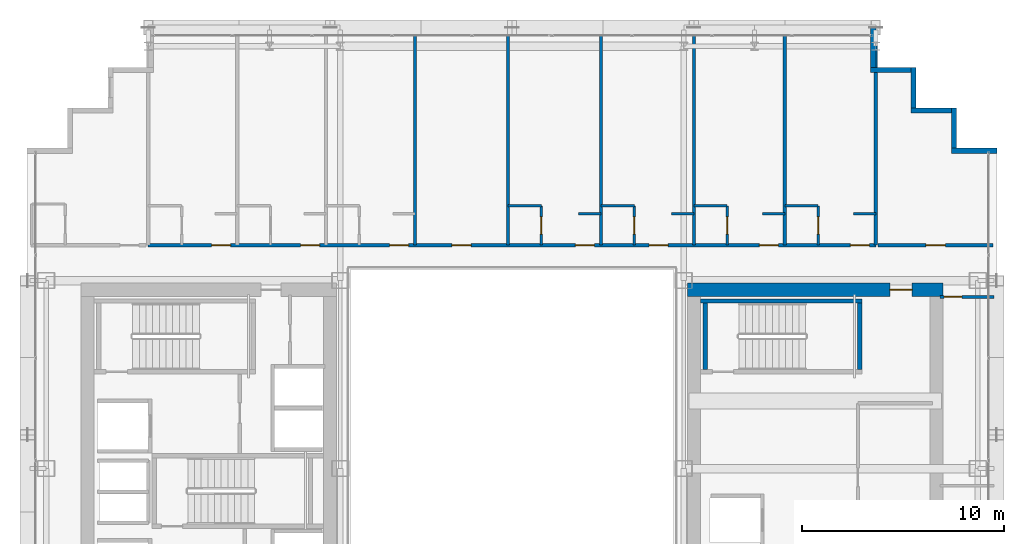
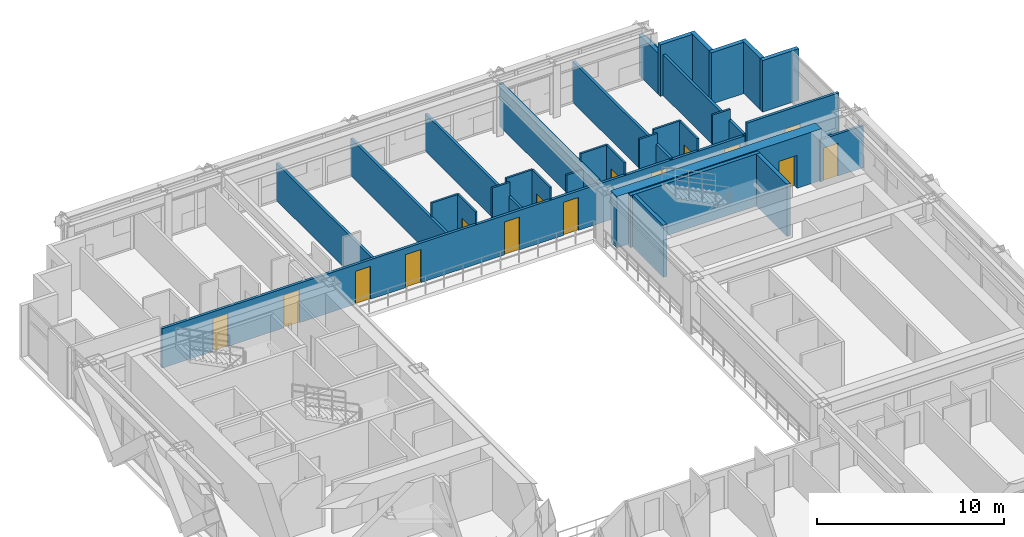
# One storey, part 31 of 36: 31 walls, 15 doors, 15 openings.
"""IFC4 building model written with IfcOpenShell, lengths in metres."""

from ifc_helpers import new_model, si_unit, direction, frame, frame_2d, origin, place, context, subcontext, project, spatial, rectangle, extrude, source, transform, mapped, material, layer, layer_set, type_object, element, fill, save


model = new_model("IFC4")

# Units and contexts
model_context = context("Model", 3, precision=1e-05, world=origin(), true_north=direction((0.0, 1.0)))
body_context = subcontext(model_context, "Body", "Model", "MODEL_VIEW")
ifc_project = project(units=[si_unit("LENGTHUNIT", "METRE"), si_unit("AREAUNIT", "SQUARE_METRE"), si_unit("VOLUMEUNIT", "CUBIC_METRE"), si_unit("PLANEANGLEUNIT", "RADIAN"), si_unit("MASSUNIT", "GRAM", prefix="KILO")], contexts=[model_context])

# Site, building, storey
site_placement = place(None, origin())
site = spatial("IfcSite", under=ifc_project, at=site_placement, CompositionType="ELEMENT")
building_placement = place(site_placement, origin())
building = spatial("IfcBuilding", under=site, at=building_placement, Name="Ocotamira Hotel", CompositionType="ELEMENT")
storey_placement = place(building_placement, frame((0.0, 0.0, 129.60009765625)))
storey = spatial("IfcBuildingStorey", under=building, at=storey_placement, Name="L32", CompositionType="ELEMENT", Elevation=129.60009765625)

# Wall, opening, door
ifc_material_1 = material(Name="Concrete C60/75", Category="concrete")
ifc_layer_1 = layer(ifc_material_1, 0.64990234375)
ifc_layer_set_1 = layer_set([ifc_layer_1], Name="Concrete C60/75")
wall_type_1 = type_object("IfcWallType", Name="WL-CORE-650", PredefinedType="SHEAR", material=ifc_layer_set_1)
wall_1_placement = place(storey_placement, frame((40.675048828125, 37.0, 0.0), z_axis=(0.0, 0.0, 1.0), x_axis=(1.0, 0.0, 0.0)))
wall_1 = element("IfcWall", 1, at=wall_1_placement, inside=storey, type_object=wall_type_1, Name="L32 Shear Core Wall ECORE-N", PredefinedType="SHEAR", context=body_context, shape_type="SweptSolid", body=[
    extrude(rectangle(XDim=12.64990234375, YDim=0.64990234375, at=frame_2d((6.324951171875, 0.0))), origin(), (0.0, 0.0, 1.0), 3.35986328125),
])
opening_1_placement = place(wall_1_placement, frame((10.02490234375, 0.0, 0.0)))
opening_1 = element("IfcOpeningElement", 2, at=opening_1_placement, cuts=wall_1, Name="Opening D-FR1", PredefinedType="OPENING", context=body_context, shape_type="SweptSolid", body=[
    extrude(rectangle(XDim=1.10009765625, YDim=2.14990234375, at=frame_2d((0.550048828125, 1.074951171875))), frame((0.0, 0.3349609375, 0.0), z_axis=(0.0, -1.0, 0.0), x_axis=(1.0, 0.0, 0.0)), (0.0, 0.0, 1.0), 0.669921875),
])
ifc_material_2 = material(Name="Fire-rated acoustic timber-veneer door", Category="wood")
door_type_1 = type_object("IfcDoorType", Name="DR-FIRE-1100", OperationType="NOTDEFINED", PredefinedType="DOOR", material=ifc_material_2)
shared_shape_1 = source(origin(), body_context, "Body", "SweptSolid", [
    extrude(rectangle(XDim=1.10009765625, YDim=2.14990234375, at=frame_2d((0.550048828125, 1.074951171875))), frame((0.0, 0.02490234375, 0.0), z_axis=(0.0, -1.0, 0.0), x_axis=(1.0, 0.0, 0.0)), (0.0, 0.0, 1.0), 0.050048828125),
])
door_1_placement = place(opening_1_placement, origin())
door_1 = element("IfcDoor", 3, at=door_1_placement, inside=storey, type_object=door_type_1, Name="L32 Door ID-L32-ELOB-N-D [ID-L32-ELOB-N-D]", OperationType="SINGLE_SWING_LEFT", OverallHeight=2.14990234375, OverallWidth=1.10009765625, PredefinedType="DOOR", context=body_context, shape_type="MappedRepresentation", body=[
    mapped(shared_shape_1, transform((0.0, 0.0, 0.0), scale=1.0)),
])
fill(opening_1, door_1)

# Walls
ifc_material_3 = material(Name="Precast concrete C45/55", Category="concrete")
ifc_layer_2 = layer(ifc_material_3, 0.25)
ifc_layer_set_2 = layer_set([ifc_layer_2], Name="Precast concrete C45/55")
wall_type_2 = type_object("IfcWallType", Name="WL-EXT-SER-250", PredefinedType="SOLIDWALL", material=ifc_layer_set_2)
wall_2_placement = place(storey_placement, frame((56.0, 43.875, 0.0), z_axis=(0.0, 0.0, 1.0), x_axis=(-1.0, 0.0, 0.0)))
element("IfcWall", 4, at=wall_2_placement, inside=storey, type_object=wall_type_2, Name="L32 Serrated Corner Wall 07", PredefinedType="SOLIDWALL", context=body_context, shape_type="SweptSolid", body=[
    extrude(rectangle(XDim=2.25, YDim=0.25, at=frame_2d((1.125, 0.0))), origin(), (0.0, 0.0, 1.0), 3.35986328125),
])
for number, where, z_axis, x_axis, name in (
    (5, (53.875, 44.0, 0.0), (0.0, 0.0, 1.0), (0.0, 1.0, 0.0), "L32 Serrated Corner Wall 08"),
    (6, (53.75, 45.875, 0.0), (0.0, 0.0, 1.0), (-1.0, 0.0, 0.0), "L32 Serrated Corner Wall 09"),
    (7, (51.875, 46.0, 0.0), (0.0, 0.0, 1.0), (0.0, 1.0, 0.0), "L32 Serrated Corner Wall 10"),
    (8, (51.75, 47.875, 0.0), (0.0, 0.0, 1.0), (-1.0, 0.0, 0.0), "L32 Serrated Corner Wall 11"),
):
    element("IfcWall", number, at=place(storey_placement, frame(where, z_axis=z_axis, x_axis=x_axis)), inside=storey, type_object=wall_type_2, Name=name, PredefinedType="SOLIDWALL", context=body_context, shape_type="SweptSolid", body=[
        extrude(rectangle(XDim=2.0, YDim=0.25, at=frame_2d((1.0, 0.0))), origin(), (0.0, 0.0, 1.0), 3.35986328125),
    ])
wall_3_placement = place(storey_placement, frame((49.875, 48.0, 0.0), z_axis=(0.0, 0.0, 1.0), x_axis=(0.0, 1.0, 0.0)))
element("IfcWall", 9, at=wall_3_placement, inside=storey, type_object=wall_type_2, Name="L32 Serrated Corner Wall 12", PredefinedType="SOLIDWALL", context=body_context, shape_type="SweptSolid", body=[
    extrude(rectangle(XDim=2.0, YDim=0.25, at=frame_2d((1.0, 0.0))), origin(), (0.0, 0.0, 1.0), 2.6669921875),
])

# Wall, opening, door
ifc_material_4 = material(Name="Acoustic double-layer fire gypsum board partition", Category="gypsum")
ifc_layer_3 = layer(ifc_material_4, 0.159912109375)
ifc_layer_set_3 = layer_set([ifc_layer_3], Name="Acoustic double-layer fire gypsum board partition")
wall_type_3 = type_object("IfcWallType", Name="WL-FIRE-160", PredefinedType="PARTITIONING", material=ifc_layer_set_3)
wall_4_placement = place(storey_placement, frame((50.1201171875, 39.199951171875, 0.0), z_axis=(0.0, 0.0, 1.0), x_axis=(1.0, 0.0, 0.0)))
wall_4 = element("IfcWall", 10, at=wall_4_placement, inside=storey, type_object=wall_type_3, Name="L32 Interior Wall PW-L32-Z2D-CNE-CW", PredefinedType="PARTITIONING", context=body_context, shape_type="SweptSolid", body=[
    extrude(rectangle(XDim=5.679931640625, YDim=0.159912109375, at=frame_2d((2.83984375, 0.0))), origin(), (0.0, 0.0, 1.0), 3.35986328125),
])
opening_2_placement = place(wall_4_placement, frame((2.360107421875, 0.0, 0.0)))
opening_2 = element("IfcOpeningElement", 11, at=opening_2_placement, cuts=wall_4, Name="Opening D-SV4", PredefinedType="OPENING", context=body_context, shape_type="SweptSolid", body=[
    extrude(rectangle(XDim=0.9599609375, YDim=2.14990234375, at=frame_2d((0.47998046875, 1.074951171875))), frame((0.0, 0.08984375, 0.0), z_axis=(0.0, -1.0, 0.0), x_axis=(1.0, 0.0, 0.0)), (0.0, 0.0, 1.0), 0.179931640625),
])
ifc_material_5 = material(Name="Fire-rated accessible walnut salon door", Category="wood")
door_type_2 = type_object("IfcDoorType", Name="DR-SERV-960", OperationType="NOTDEFINED", PredefinedType="DOOR", material=ifc_material_5)
shared_shape_2 = source(origin(), body_context, "Body", "SweptSolid", [
    extrude(rectangle(XDim=0.9599609375, YDim=2.14990234375, at=frame_2d((0.47998046875, 1.074951171875))), frame((0.0, 0.02490234375, 0.0), z_axis=(0.0, -1.0, 0.0), x_axis=(1.0, 0.0, 0.0)), (0.0, 0.0, 1.0), 0.050048828125),
])
door_2_placement = place(opening_2_placement, origin())
door_2 = element("IfcDoor", 12, at=door_2_placement, inside=storey, type_object=door_type_2, Name="L32 Door ID-L32-Z2D-CNE-CD [ID-L32-Z2D-CNE-CD]", OperationType="SINGLE_SWING_LEFT", OverallHeight=2.14990234375, OverallWidth=0.9599609375, PredefinedType="DOOR", context=body_context, shape_type="MappedRepresentation", body=[
    mapped(shared_shape_2, transform((0.0, 0.0, 0.0), scale=1.0)),
])
fill(opening_2, door_2)

# Wall, openings, doors
wall_5_placement = place(storey_placement, frame((14.0, 39.199951171875, 0.0), z_axis=(0.0, 0.0, 1.0), x_axis=(1.0, 0.0, 0.0)))
wall_5 = element("IfcWall", 13, at=wall_5_placement, inside=storey, type_object=wall_type_3, Name="L32 Interior Wall PW-L32-Z2DN-CORRW", PredefinedType="PARTITIONING", context=body_context, shape_type="SweptSolid", body=[
    extrude(rectangle(XDim=36.0, YDim=0.159912109375, at=frame_2d((18.0, 0.0))), origin(), (0.0, 0.0, 1.0), 2.580810546875),
])
opening_3_placement = place(wall_5_placement, frame((3.139892578125, 0.0, 0.0)))
opening_3 = element("IfcOpeningElement", 14, at=opening_3_placement, cuts=wall_5, Name="Opening D-GR1", PredefinedType="OPENING", context=body_context, shape_type="SweptSolid", body=[
    extrude(rectangle(XDim=0.93994140625, YDim=2.14990234375, at=frame_2d((0.469970703125, 1.074951171875))), frame((0.0, 0.08984375, 0.0), z_axis=(0.0, -1.0, 0.0), x_axis=(1.0, 0.0, 0.0)), (0.0, 0.0, 1.0), 0.179931640625),
])
opening_4_placement = place(wall_5_placement, frame((7.5400390625, 0.0, 0.0)))
opening_4 = element("IfcOpeningElement", 15, at=opening_4_placement, cuts=wall_5, Name="Opening D-GR1", PredefinedType="OPENING", context=body_context, shape_type="SweptSolid", body=[
    extrude(rectangle(XDim=0.93994140625, YDim=2.14990234375, at=frame_2d((0.469970703125, 1.074951171875))), frame((0.0, 0.08984375, 0.0), z_axis=(0.0, -1.0, 0.0), x_axis=(1.0, 0.0, 0.0)), (0.0, 0.0, 1.0), 0.179931640625),
])
opening_5_placement = place(wall_5_placement, frame((11.93994140625, 0.0, 0.0)))
opening_5 = element("IfcOpeningElement", 16, at=opening_5_placement, cuts=wall_5, Name="Opening D-GR1", PredefinedType="OPENING", context=body_context, shape_type="SweptSolid", body=[
    extrude(rectangle(XDim=0.93994140625, YDim=2.14990234375, at=frame_2d((0.469970703125, 1.074951171875))), frame((0.0, 0.08984375, 0.0), z_axis=(0.0, -1.0, 0.0), x_axis=(1.0, 0.0, 0.0)), (0.0, 0.0, 1.0), 0.179931640625),
])
opening_6_placement = place(wall_5_placement, frame((15.02001953125, 0.0, 0.0)))
opening_6 = element("IfcOpeningElement", 17, at=opening_6_placement, cuts=wall_5, Name="Opening D-SV4", PredefinedType="OPENING", context=body_context, shape_type="SweptSolid", body=[
    extrude(rectangle(XDim=0.9599609375, YDim=2.14990234375, at=frame_2d((0.47998046875, 1.074951171875))), frame((0.0, 0.08984375, 0.0), z_axis=(0.0, -1.0, 0.0), x_axis=(1.0, 0.0, 0.0)), (0.0, 0.0, 1.0), 0.179931640625),
])
opening_7_placement = place(wall_5_placement, frame((21.139892578125, 0.0, 0.0)))
opening_7 = element("IfcOpeningElement", 18, at=opening_7_placement, cuts=wall_5, Name="Opening D-GR1", PredefinedType="OPENING", context=body_context, shape_type="SweptSolid", body=[
    extrude(rectangle(XDim=0.93994140625, YDim=2.14990234375, at=frame_2d((0.469970703125, 1.074951171875))), frame((0.0, 0.08984375, 0.0), z_axis=(0.0, -1.0, 0.0), x_axis=(1.0, 0.0, 0.0)), (0.0, 0.0, 1.0), 0.179931640625),
])
opening_8_placement = place(wall_5_placement, frame((24.7900390625, 0.0, 0.0)))
opening_8 = element("IfcOpeningElement", 19, at=opening_8_placement, cuts=wall_5, Name="Opening D-GR1", PredefinedType="OPENING", context=body_context, shape_type="SweptSolid", body=[
    extrude(rectangle(XDim=0.93994140625, YDim=2.14990234375, at=frame_2d((0.469970703125, 1.074951171875))), frame((0.0, 0.08984375, 0.0), z_axis=(0.0, -1.0, 0.0), x_axis=(1.0, 0.0, 0.0)), (0.0, 0.0, 1.0), 0.179931640625),
])
opening_9_placement = place(wall_5_placement, frame((30.239990234375, 0.0, 0.0)))
opening_9 = element("IfcOpeningElement", 20, at=opening_9_placement, cuts=wall_5, Name="Opening D-GR1", PredefinedType="OPENING", context=body_context, shape_type="SweptSolid", body=[
    extrude(rectangle(XDim=0.93994140625, YDim=2.14990234375, at=frame_2d((0.469970703125, 1.074951171875))), frame((0.0, 0.08984375, 0.0), z_axis=(0.0, -1.0, 0.0), x_axis=(1.0, 0.0, 0.0)), (0.0, 0.0, 1.0), 0.179931640625),
])
opening_10_placement = place(wall_5_placement, frame((34.739990234375, 0.0, 0.0)))
opening_10 = element("IfcOpeningElement", 21, at=opening_10_placement, cuts=wall_5, Name="Opening D-GR1", PredefinedType="OPENING", context=body_context, shape_type="SweptSolid", body=[
    extrude(rectangle(XDim=0.93994140625, YDim=2.14990234375, at=frame_2d((0.469970703125, 1.074951171875))), frame((0.0, 0.08984375, 0.0), z_axis=(0.0, -1.0, 0.0), x_axis=(1.0, 0.0, 0.0)), (0.0, 0.0, 1.0), 0.179931640625),
])
door_3_placement = place(opening_6_placement, origin())
door_3 = element("IfcDoor", 22, at=door_3_placement, inside=storey, type_object=door_type_2, Name="L32 Door ID-L32-Z2DN-AMD4 [ID-L32-Z2DN-AMD4]", OperationType="SINGLE_SWING_RIGHT", OverallHeight=2.14990234375, OverallWidth=0.9599609375, PredefinedType="DOOR", context=body_context, shape_type="MappedRepresentation", body=[
    mapped(shared_shape_2, transform((0.0, 0.0, 0.0), scale=1.0)),
])
fill(opening_6, door_3)
ifc_material_6 = material(Name="Solid-core walnut suite entrance fire door", Category="wood")
door_type_3 = type_object("IfcDoorType", Name="DR-GUEST-940", OperationType="NOTDEFINED", PredefinedType="DOOR", material=ifc_material_6)
shared_shape_3 = source(origin(), body_context, "Body", "SweptSolid", [
    extrude(rectangle(XDim=0.93994140625, YDim=2.14990234375, at=frame_2d((0.469970703125, 1.074951171875))), frame((0.0, 0.02490234375, 0.0), z_axis=(0.0, -1.0, 0.0), x_axis=(1.0, 0.0, 0.0)), (0.0, 0.0, 1.0), 0.050048828125),
])
door_4_placement = place(opening_3_placement, origin())
door_4 = element("IfcDoor", 23, at=door_4_placement, inside=storey, type_object=door_type_3, Name="L32 Door ID-L32-Z2DN-RMD1 [ID-L32-Z2DN-RMD1]", OperationType="SINGLE_SWING_LEFT", OverallHeight=2.14990234375, OverallWidth=0.93994140625, PredefinedType="DOOR", context=body_context, shape_type="MappedRepresentation", body=[
    mapped(shared_shape_3, transform((0.0, 0.0, 0.0), scale=1.0)),
])
fill(opening_3, door_4)
door_5_placement = place(opening_4_placement, origin())
door_5 = element("IfcDoor", 24, at=door_5_placement, inside=storey, type_object=door_type_3, Name="L32 Door ID-L32-Z2DN-RMD2 [ID-L32-Z2DN-RMD2]", OperationType="SINGLE_SWING_RIGHT", OverallHeight=2.14990234375, OverallWidth=0.93994140625, PredefinedType="DOOR", context=body_context, shape_type="MappedRepresentation", body=[
    mapped(shared_shape_3, transform((0.0, 0.0, 0.0), scale=1.0)),
])
fill(opening_4, door_5)
door_6_placement = place(opening_5_placement, origin())
door_6 = element("IfcDoor", 25, at=door_6_placement, inside=storey, type_object=door_type_3, Name="L32 Door ID-L32-Z2DN-RMD3 [ID-L32-Z2DN-RMD3]", OperationType="SINGLE_SWING_LEFT", OverallHeight=2.14990234375, OverallWidth=0.93994140625, PredefinedType="DOOR", context=body_context, shape_type="MappedRepresentation", body=[
    mapped(shared_shape_3, transform((0.0, 0.0, 0.0), scale=1.0)),
])
fill(opening_5, door_6)
door_7_placement = place(opening_7_placement, origin())
door_7 = element("IfcDoor", 26, at=door_7_placement, inside=storey, type_object=door_type_3, Name="L32 Door ID-L32-Z2DN-RMD5 [ID-L32-Z2DN-RMD5]", OperationType="SINGLE_SWING_LEFT", OverallHeight=2.14990234375, OverallWidth=0.93994140625, PredefinedType="DOOR", context=body_context, shape_type="MappedRepresentation", body=[
    mapped(shared_shape_3, transform((0.0, 0.0, 0.0), scale=1.0)),
])
fill(opening_7, door_7)
door_8_placement = place(opening_8_placement, origin())
door_8 = element("IfcDoor", 27, at=door_8_placement, inside=storey, type_object=door_type_3, Name="L32 Door ID-L32-Z2DN-RMD6 [ID-L32-Z2DN-RMD6]", OperationType="SINGLE_SWING_RIGHT", OverallHeight=2.14990234375, OverallWidth=0.93994140625, PredefinedType="DOOR", context=body_context, shape_type="MappedRepresentation", body=[
    mapped(shared_shape_3, transform((0.0, 0.0, 0.0), scale=1.0)),
])
fill(opening_8, door_8)
door_9_placement = place(opening_9_placement, origin())
door_9 = element("IfcDoor", 28, at=door_9_placement, inside=storey, type_object=door_type_3, Name="L32 Door ID-L32-Z2DN-RMD7 [ID-L32-Z2DN-RMD7]", OperationType="SINGLE_SWING_LEFT", OverallHeight=2.14990234375, OverallWidth=0.93994140625, PredefinedType="DOOR", context=body_context, shape_type="MappedRepresentation", body=[
    mapped(shared_shape_3, transform((0.0, 0.0, 0.0), scale=1.0)),
])
fill(opening_9, door_9)
door_10_placement = place(opening_10_placement, origin())
door_10 = element("IfcDoor", 29, at=door_10_placement, inside=storey, type_object=door_type_3, Name="L32 Door ID-L32-Z2DN-RMD8 [ID-L32-Z2DN-RMD8]", OperationType="SINGLE_SWING_RIGHT", OverallHeight=2.14990234375, OverallWidth=0.93994140625, PredefinedType="DOOR", context=body_context, shape_type="MappedRepresentation", body=[
    mapped(shared_shape_3, transform((0.0, 0.0, 0.0), scale=1.0)),
])
fill(opening_10, door_10)

# Wall, opening, door
ifc_material_7 = material(Name="Moisture-resistant en-suite tile and gypsum partition", Category="gypsum")
ifc_layer_4 = layer(ifc_material_7, 0.1201171875)
ifc_layer_set_4 = layer_set([ifc_layer_4], Name="Moisture-resistant en-suite tile and gypsum partition")
wall_type_4 = type_object("IfcWallType", Name="WL-PART-120", PredefinedType="PARTITIONING", material=ifc_layer_set_4)
wall_6_placement = place(storey_placement, frame((33.449951171875, 39.199951171875, 0.0), z_axis=(0.0, 0.0, 1.0), x_axis=(0.0, 1.0, 0.0)))
wall_6 = element("IfcWall", 30, at=wall_6_placement, inside=storey, type_object=wall_type_4, Name="L32 Interior Wall PW-L32-Z2DN-BAE5", PredefinedType="PARTITIONING", context=body_context, shape_type="SweptSolid", body=[
    extrude(rectangle(XDim=1.949951171875, YDim=0.1201171875, at=frame_2d((0.97509765625, 0.0))), origin(), (0.0, 0.0, 1.0), 3.35986328125),
])
opening_11_placement = place(wall_6_placement, frame((0.544921875, 0.0, 0.0)))
opening_11 = element("IfcOpeningElement", 31, at=opening_11_placement, cuts=wall_6, Name="Opening D-BA1", PredefinedType="OPENING", context=body_context, shape_type="SweptSolid", body=[
    extrude(rectangle(XDim=0.860107421875, YDim=2.10009765625, at=frame_2d((0.43017578125, 1.050048828125))), frame((0.0, 0.070068359375, 0.0), z_axis=(0.0, -1.0, 0.0), x_axis=(1.0, 0.0, 0.0)), (0.0, 0.0, 1.0), 0.14013671875),
])
ifc_material_8 = material(Name="Moisture-sealed en-suite timber door", Category="wood")
door_type_4 = type_object("IfcDoorType", Name="DR-BATH-860", OperationType="NOTDEFINED", PredefinedType="DOOR", material=ifc_material_8)
shared_shape_4 = source(origin(), body_context, "Body", "SweptSolid", [
    extrude(rectangle(XDim=0.860107421875, YDim=2.10009765625, at=frame_2d((0.43017578125, 1.050048828125))), frame((0.0, 0.02490234375, 0.0), z_axis=(0.0, -1.0, 0.0), x_axis=(1.0, 0.0, 0.0)), (0.0, 0.0, 1.0), 0.050048828125),
])
door_11_placement = place(opening_11_placement, origin())
door_11 = element("IfcDoor", 32, at=door_11_placement, inside=storey, type_object=door_type_4, Name="L32 Door ID-L32-Z2DN-BAD5 [ID-L32-Z2DN-BAD5]", OperationType="SINGLE_SWING_RIGHT", OverallHeight=2.10009765625, OverallWidth=0.860107421875, PredefinedType="DOOR", context=body_context, shape_type="MappedRepresentation", body=[
    mapped(shared_shape_4, transform((0.0, 0.0, 0.0), scale=1.0)),
])
fill(opening_11, door_11)

# Walls
wall_7_placement = place(storey_placement, frame((31.800048828125, 41.14990234375, 0.0), z_axis=(0.0, 0.0, 1.0), x_axis=(1.0, 0.0, 0.0)))
element("IfcWall", 33, at=wall_7_placement, inside=storey, type_object=wall_type_4, Name="L32 Interior Wall PW-L32-Z2DN-BAN5", PredefinedType="PARTITIONING", context=body_context, shape_type="SweptSolid", body=[
    extrude(rectangle(XDim=1.64990234375, YDim=0.1201171875, at=frame_2d((0.824951171875, 0.0))), origin(), (0.0, 0.0, 1.0), 3.35986328125),
])
wall_8_placement = place(storey_placement, frame((35.300048828125, 40.75, 0.0), z_axis=(0.0, 0.0, 1.0), x_axis=(1.0, 0.0, 0.0)))
element("IfcWall", 34, at=wall_8_placement, inside=storey, type_object=wall_type_4, Name="L32 Interior Wall PW-L32-Z2DN-DRN5", PredefinedType="PARTITIONING", context=body_context, shape_type="SweptSolid", body=[
    extrude(rectangle(XDim=1.099853515625, YDim=0.1201171875, at=frame_2d((0.5498046875, 0.0))), origin(), (0.0, 0.0, 1.0), 3.35986328125),
])

# Wall, opening, door
wall_9_placement = place(storey_placement, frame((38.050048828125, 39.199951171875, 0.0), z_axis=(0.0, 0.0, 1.0), x_axis=(0.0, 1.0, 0.0)))
wall_9 = element("IfcWall", 35, at=wall_9_placement, inside=storey, type_object=wall_type_4, Name="L32 Interior Wall PW-L32-Z2DN-BAE6", PredefinedType="PARTITIONING", context=body_context, shape_type="SweptSolid", body=[
    extrude(rectangle(XDim=1.949951171875, YDim=0.1201171875, at=frame_2d((0.97509765625, 0.0))), origin(), (0.0, 0.0, 1.0), 3.35986328125),
])
opening_12_placement = place(wall_9_placement, frame((0.544921875, 0.0, 0.0)))
opening_12 = element("IfcOpeningElement", 36, at=opening_12_placement, cuts=wall_9, Name="Opening D-BA1", PredefinedType="OPENING", context=body_context, shape_type="SweptSolid", body=[
    extrude(rectangle(XDim=0.860107421875, YDim=2.10009765625, at=frame_2d((0.43017578125, 1.050048828125))), frame((0.0, 0.070068359375, 0.0), z_axis=(0.0, -1.0, 0.0), x_axis=(1.0, 0.0, 0.0)), (0.0, 0.0, 1.0), 0.14013671875),
])
door_12_placement = place(opening_12_placement, origin())
door_12 = element("IfcDoor", 37, at=door_12_placement, inside=storey, type_object=door_type_4, Name="L32 Door ID-L32-Z2DN-BAD6 [ID-L32-Z2DN-BAD6]", OperationType="SINGLE_SWING_LEFT", OverallHeight=2.10009765625, OverallWidth=0.860107421875, PredefinedType="DOOR", context=body_context, shape_type="MappedRepresentation", body=[
    mapped(shared_shape_4, transform((0.0, 0.0, 0.0), scale=1.0)),
])
fill(opening_12, door_12)

# Walls
wall_10_placement = place(storey_placement, frame((36.39990234375, 41.14990234375, 0.0), z_axis=(0.0, 0.0, 1.0), x_axis=(1.0, 0.0, 0.0)))
element("IfcWall", 38, at=wall_10_placement, inside=storey, type_object=wall_type_4, Name="L32 Interior Wall PW-L32-Z2DN-BAN6", PredefinedType="PARTITIONING", context=body_context, shape_type="SweptSolid", body=[
    extrude(rectangle(XDim=1.650146484375, YDim=0.1201171875, at=frame_2d((0.8251953125, 0.0))), origin(), (0.0, 0.0, 1.0), 3.35986328125),
])
wall_11_placement = place(storey_placement, frame((39.89990234375, 40.75, 0.0), z_axis=(0.0, 0.0, 1.0), x_axis=(1.0, 0.0, 0.0)))
element("IfcWall", 39, at=wall_11_placement, inside=storey, type_object=wall_type_4, Name="L32 Interior Wall PW-L32-Z2DN-DRN6", PredefinedType="PARTITIONING", context=body_context, shape_type="SweptSolid", body=[
    extrude(rectangle(XDim=1.10009765625, YDim=0.1201171875, at=frame_2d((0.550048828125, 0.0))), origin(), (0.0, 0.0, 1.0), 2.580810546875),
])

# Wall, opening, door
wall_12_placement = place(storey_placement, frame((42.64990234375, 39.199951171875, 0.0), z_axis=(0.0, 0.0, 1.0), x_axis=(0.0, 1.0, 0.0)))
wall_12 = element("IfcWall", 40, at=wall_12_placement, inside=storey, type_object=wall_type_4, Name="L32 Interior Wall PW-L32-Z2DN-BAE7", PredefinedType="PARTITIONING", context=body_context, shape_type="SweptSolid", body=[
    extrude(rectangle(XDim=1.949951171875, YDim=0.1201171875, at=frame_2d((0.97509765625, 0.0))), origin(), (0.0, 0.0, 1.0), 3.35986328125),
])
opening_13_placement = place(wall_12_placement, frame((0.544921875, 0.0, 0.0)))
opening_13 = element("IfcOpeningElement", 41, at=opening_13_placement, cuts=wall_12, Name="Opening D-BA1", PredefinedType="OPENING", context=body_context, shape_type="SweptSolid", body=[
    extrude(rectangle(XDim=0.860107421875, YDim=2.10009765625, at=frame_2d((0.43017578125, 1.050048828125))), frame((0.0, 0.070068359375, 0.0), z_axis=(0.0, -1.0, 0.0), x_axis=(1.0, 0.0, 0.0)), (0.0, 0.0, 1.0), 0.14013671875),
])
door_13_placement = place(opening_13_placement, origin())
door_13 = element("IfcDoor", 42, at=door_13_placement, inside=storey, type_object=door_type_4, Name="L32 Door ID-L32-Z2DN-BAD7 [ID-L32-Z2DN-BAD7]", OperationType="SINGLE_SWING_RIGHT", OverallHeight=2.10009765625, OverallWidth=0.860107421875, PredefinedType="DOOR", context=body_context, shape_type="MappedRepresentation", body=[
    mapped(shared_shape_4, transform((0.0, 0.0, 0.0), scale=1.0)),
])
fill(opening_13, door_13)

# Walls
wall_13_placement = place(storey_placement, frame((41.0, 41.14990234375, 0.0), z_axis=(0.0, 0.0, 1.0), x_axis=(1.0, 0.0, 0.0)))
element("IfcWall", 43, at=wall_13_placement, inside=storey, type_object=wall_type_4, Name="L32 Interior Wall PW-L32-Z2DN-BAN7", PredefinedType="PARTITIONING", context=body_context, shape_type="SweptSolid", body=[
    extrude(rectangle(XDim=1.64990234375, YDim=0.1201171875, at=frame_2d((0.824951171875, 0.0))), origin(), (0.0, 0.0, 1.0), 3.35986328125),
])
wall_14_placement = place(storey_placement, frame((44.39990234375, 40.75, 0.0), z_axis=(0.0, 0.0, 1.0), x_axis=(1.0, 0.0, 0.0)))
element("IfcWall", 44, at=wall_14_placement, inside=storey, type_object=wall_type_4, Name="L32 Interior Wall PW-L32-Z2DN-DRN7", PredefinedType="PARTITIONING", context=body_context, shape_type="SweptSolid", body=[
    extrude(rectangle(XDim=1.10009765625, YDim=0.1201171875, at=frame_2d((0.550048828125, 0.0))), origin(), (0.0, 0.0, 1.0), 3.35986328125),
])

# Wall, opening, door
wall_15_placement = place(storey_placement, frame((47.14990234375, 39.199951171875, 0.0), z_axis=(0.0, 0.0, 1.0), x_axis=(0.0, 1.0, 0.0)))
wall_15 = element("IfcWall", 45, at=wall_15_placement, inside=storey, type_object=wall_type_4, Name="L32 Interior Wall PW-L32-Z2DN-BAE8", PredefinedType="PARTITIONING", context=body_context, shape_type="SweptSolid", body=[
    extrude(rectangle(XDim=1.949951171875, YDim=0.1201171875, at=frame_2d((0.97509765625, 0.0))), origin(), (0.0, 0.0, 1.0), 3.35986328125),
])
opening_14_placement = place(wall_15_placement, frame((0.544921875, 0.0, 0.0)))
opening_14 = element("IfcOpeningElement", 46, at=opening_14_placement, cuts=wall_15, Name="Opening D-BA1", PredefinedType="OPENING", context=body_context, shape_type="SweptSolid", body=[
    extrude(rectangle(XDim=0.860107421875, YDim=2.10009765625, at=frame_2d((0.43017578125, 1.050048828125))), frame((0.0, 0.070068359375, 0.0), z_axis=(0.0, -1.0, 0.0), x_axis=(1.0, 0.0, 0.0)), (0.0, 0.0, 1.0), 0.14013671875),
])
door_14_placement = place(opening_14_placement, origin())
door_14 = element("IfcDoor", 47, at=door_14_placement, inside=storey, type_object=door_type_4, Name="L32 Door ID-L32-Z2DN-BAD8 [ID-L32-Z2DN-BAD8]", OperationType="SINGLE_SWING_LEFT", OverallHeight=2.10009765625, OverallWidth=0.860107421875, PredefinedType="DOOR", context=body_context, shape_type="MappedRepresentation", body=[
    mapped(shared_shape_4, transform((0.0, 0.0, 0.0), scale=1.0)),
])
fill(opening_14, door_14)

# Walls
wall_16_placement = place(storey_placement, frame((45.5, 41.14990234375, 0.0), z_axis=(0.0, 0.0, 1.0), x_axis=(1.0, 0.0, 0.0)))
element("IfcWall", 48, at=wall_16_placement, inside=storey, type_object=wall_type_4, Name="L32 Interior Wall PW-L32-Z2DN-BAN8", PredefinedType="PARTITIONING", context=body_context, shape_type="SweptSolid", body=[
    extrude(rectangle(XDim=1.64990234375, YDim=0.1201171875, at=frame_2d((0.824951171875, 0.0))), origin(), (0.0, 0.0, 1.0), 3.35986328125),
])
wall_17_placement = place(storey_placement, frame((48.89990234375, 40.75, 0.0), z_axis=(0.0, 0.0, 1.0), x_axis=(1.0, 0.0, 0.0)))
element("IfcWall", 49, at=wall_17_placement, inside=storey, type_object=wall_type_4, Name="L32 Interior Wall PW-L32-Z2DN-DRN8", PredefinedType="PARTITIONING", context=body_context, shape_type="SweptSolid", body=[
    extrude(rectangle(XDim=1.10009765625, YDim=0.1201171875, at=frame_2d((0.550048828125, 0.0))), origin(), (0.0, 0.0, 1.0), 3.35986328125),
])

# Wall, opening, door
ifc_material_9 = material(Name="Acoustic hospitality gypsum board partition", Category="gypsum")
ifc_layer_5 = layer(ifc_material_9, 0.14990234375)
ifc_layer_set_5 = layer_set([ifc_layer_5], Name="Acoustic hospitality gypsum board partition")
wall_type_5 = type_object("IfcWallType", Name="WL-PART-150", PredefinedType="PARTITIONING", material=ifc_layer_set_5)
wall_18_placement = place(storey_placement, frame((53.179931640625, 36.639892578125, 0.0), z_axis=(0.0, 0.0, 1.0), x_axis=(1.0, 0.0, 0.0)))
wall_18 = element("IfcWall", 50, at=wall_18_placement, inside=storey, type_object=wall_type_5, Name="L32 Interior Wall PW-L32-Z2D-EF-WN", PredefinedType="PARTITIONING", context=body_context, shape_type="SweptSolid", body=[
    extrude(rectangle(XDim=2.66015625, YDim=0.14990234375, at=frame_2d((1.330078125, 0.0))), origin(), (0.0, 0.0, 1.0), 2.742919921875),
])
opening_15_placement = place(wall_18_placement, frame((0.199951171875, 0.0, 0.0)))
opening_15 = element("IfcOpeningElement", 51, at=opening_15_placement, cuts=wall_18, Name="Opening D-SV2", PredefinedType="OPENING", context=body_context, shape_type="SweptSolid", body=[
    extrude(rectangle(XDim=0.8798828125, YDim=2.14990234375, at=frame_2d((0.43994140625, 1.074951171875))), frame((0.0, 0.0849609375, 0.0), z_axis=(0.0, -1.0, 0.0), x_axis=(1.0, 0.0, 0.0)), (0.0, 0.0, 1.0), 0.169921875),
])
ifc_material_10 = material(Name="Fire-rated painted steel service door", Category="steel")
door_type_5 = type_object("IfcDoorType", Name="DR-SERV-880", OperationType="NOTDEFINED", PredefinedType="DOOR", material=ifc_material_10)
shared_shape_5 = source(origin(), body_context, "Body", "SweptSolid", [
    extrude(rectangle(XDim=0.8798828125, YDim=2.14990234375, at=frame_2d((0.43994140625, 1.074951171875))), frame((0.0, 0.02490234375, 0.0), z_axis=(0.0, -1.0, 0.0), x_axis=(1.0, 0.0, 0.0)), (0.0, 0.0, 1.0), 0.050048828125),
])
door_15_placement = place(opening_15_placement, origin())
door_15 = element("IfcDoor", 52, at=door_15_placement, inside=storey, type_object=door_type_5, Name="L32 Door ID-L32-Z2D-EF-DN [ID-L32-Z2D-EF-DN]", OperationType="SINGLE_SWING_LEFT", OverallHeight=2.14990234375, OverallWidth=0.8798828125, PredefinedType="DOOR", context=body_context, shape_type="MappedRepresentation", body=[
    mapped(shared_shape_5, transform((0.0, 0.0, 0.0), scale=1.0)),
])
fill(opening_15, door_15)

# Walls
ifc_material_11 = material(Name="Acoustic double-stud hospitality gypsum partition", Category="gypsum")
ifc_layer_6 = layer(ifc_material_11, 0.159912109375)
ifc_layer_set_6 = layer_set([ifc_layer_6], Name="Acoustic double-stud hospitality gypsum partition")
wall_type_6 = type_object("IfcWallType", Name="WL-PART-160", PredefinedType="PARTITIONING", material=ifc_layer_set_6)
wall_19_placement = place(storey_placement, frame((50.0, 39.199951171875, 0.0), z_axis=(0.0, 0.0, 1.0), x_axis=(0.0, 1.0, 0.0)))
element("IfcWall", 53, at=wall_19_placement, inside=storey, type_object=wall_type_6, Name="L32 Interior Wall PW-L32-Z2DN-PWEND", PredefinedType="PARTITIONING", context=body_context, shape_type="SweptSolid", body=[
    extrude(rectangle(XDim=10.43994140625, YDim=0.159912109375, at=frame_2d((5.219970703125, 0.0))), origin(), (0.0, 0.0, 1.0), 2.6669921875),
])
for number, where, z_axis, x_axis, name in (
    (54, (27.199951171875, 39.199951171875, 0.0), (0.0, 0.0, 1.0), (0.0, 1.0, 0.0), "L32 Interior Wall PW-L32-Z2DN-PW3"),
    (55, (31.800048828125, 39.199951171875, 0.0), (0.0, 0.0, 1.0), (0.0, 1.0, 0.0), "L32 Interior Wall PW-L32-Z2DN-PW4"),
    (56, (36.39990234375, 39.199951171875, 0.0), (0.0, 0.0, 1.0), (0.0, 1.0, 0.0), "L32 Interior Wall PW-L32-Z2DN-PW5"),
):
    element("IfcWall", number, at=place(storey_placement, frame(where, z_axis=z_axis, x_axis=x_axis)), inside=storey, type_object=wall_type_6, Name=name, PredefinedType="PARTITIONING", context=body_context, shape_type="SweptSolid", body=[
        extrude(rectangle(XDim=10.43994140625, YDim=0.159912109375, at=frame_2d((5.219970703125, 0.0))), origin(), (0.0, 0.0, 1.0), 2.432861328125),
    ])
wall_20_placement = place(storey_placement, frame((41.0, 39.199951171875, 0.0), z_axis=(0.0, 0.0, 1.0), x_axis=(0.0, 1.0, 0.0)))
element("IfcWall", 57, at=wall_20_placement, inside=storey, type_object=wall_type_6, Name="L32 Interior Wall PW-L32-Z2DN-PW6", PredefinedType="PARTITIONING", context=body_context, shape_type="SweptSolid", body=[
    extrude(rectangle(XDim=10.43994140625, YDim=0.159912109375, at=frame_2d((5.219970703125, 0.0))), origin(), (0.0, 0.0, 1.0), 2.822998046875),
])
wall_21_placement = place(storey_placement, frame((45.5, 39.199951171875, 0.0), z_axis=(0.0, 0.0, 1.0), x_axis=(0.0, 1.0, 0.0)))
element("IfcWall", 58, at=wall_21_placement, inside=storey, type_object=wall_type_6, Name="L32 Interior Wall PW-L32-Z2DN-PW7", PredefinedType="PARTITIONING", context=body_context, shape_type="SweptSolid", body=[
    extrude(rectangle(XDim=10.43994140625, YDim=0.159912109375, at=frame_2d((5.219970703125, 0.0))), origin(), (0.0, 0.0, 1.0), 2.6669921875),
])
ifc_material_12 = material(Name="Concrete C50/60", Category="concrete")
ifc_layer_7 = layer(ifc_material_12, 0.219970703125)
ifc_layer_set_7 = layer_set([ifc_layer_7], Name="Concrete C50/60")
wall_type_7 = type_object("IfcWallType", Name="WL-STAIR-220", PredefinedType="SHEAR", material=ifc_layer_set_7)
wall_22_placement = place(storey_placement, frame((41.324951171875, 36.43994140625, 0.0), z_axis=(0.0, 0.0, 1.0), x_axis=(1.0, 0.0, 0.0)))
element("IfcWall", 59, at=wall_22_placement, inside=storey, type_object=wall_type_7, Name="L32 Stair Shaft Structural Wall ST-4-N", PredefinedType="SHEAR", context=body_context, shape_type="SweptSolid", body=[
    extrude(rectangle(XDim=7.985107421875, YDim=0.219970703125, at=frame_2d((3.99267578125, 0.0))), origin(), (0.0, 0.0, 1.0), 3.39990234375),
])
for number, where, z_axis, x_axis, name in (
    (60, (41.56005859375, 33.050048828125, 0.0), (0.0, 0.0, 1.0), (0.0, 1.0, 0.0), "L32 Stair Shaft Structural Wall ST-4-W"),
    (61, (49.199951171875, 33.050048828125, 0.0), (0.0, 0.0, 1.0), (0.0, 1.0, 0.0), "L32 Stair Shaft Structural Wall ST-4-E"),
):
    element("IfcWall", number, at=place(storey_placement, frame(where, z_axis=z_axis, x_axis=x_axis)), inside=storey, type_object=wall_type_7, Name=name, PredefinedType="SHEAR", context=body_context, shape_type="SweptSolid", body=[
        extrude(rectangle(XDim=3.280029296875, YDim=0.219970703125, at=frame_2d((1.64013671875, 0.0))), origin(), (0.0, 0.0, 1.0), 3.39990234375),
    ])

save(model, "model.ifc")
